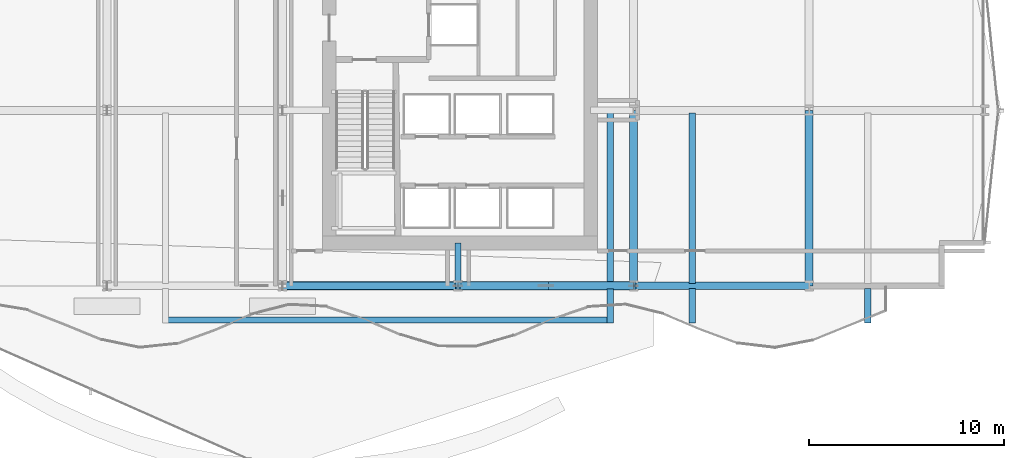
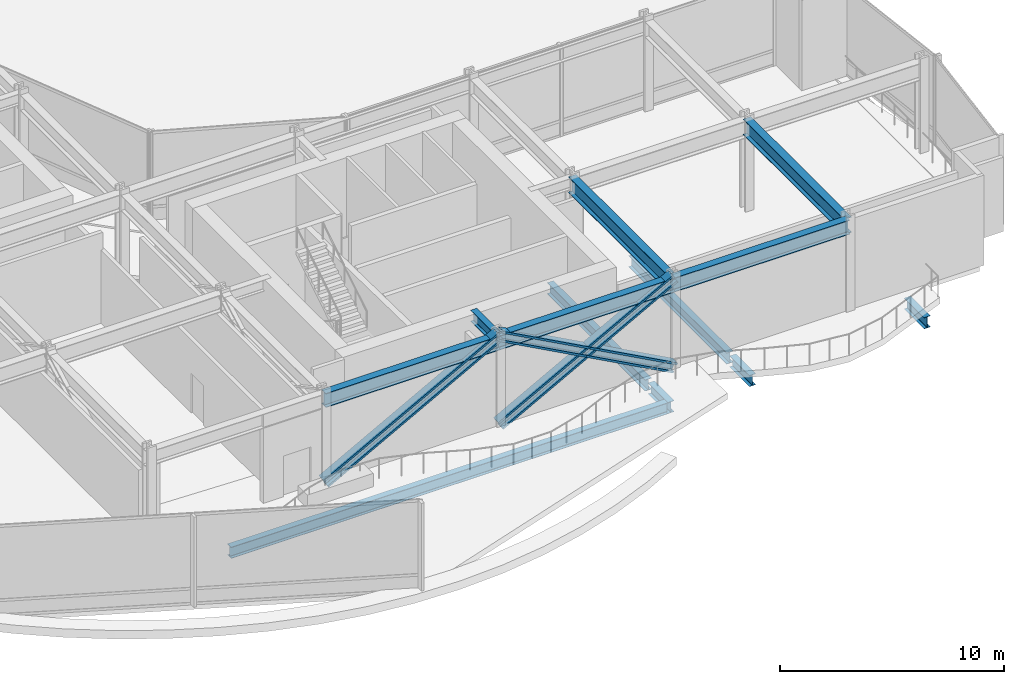
# One storey, part 10 of 37: 12 beams, 4 members.
"""IFC4 building model written with IfcOpenShell, lengths in metres."""

from ifc_helpers import new_model, si_unit, direction, frame, origin, origin_2d, place, context, subcontext, project, spatial, i_section, extrude, material, material_profile, profile_set, type_object, element, save


model = new_model("IFC4")

# Units and contexts
model_context = context("Model", 3, precision=1e-05, world=origin(), true_north=direction((0.0, 1.0)))
body_context = subcontext(model_context, "Body", "Model", "MODEL_VIEW")
ifc_project = project(units=[si_unit("LENGTHUNIT", "METRE"), si_unit("AREAUNIT", "SQUARE_METRE"), si_unit("VOLUMEUNIT", "CUBIC_METRE"), si_unit("PLANEANGLEUNIT", "RADIAN"), si_unit("MASSUNIT", "GRAM", prefix="KILO")], contexts=[model_context])

# Site, building, storey
site_placement = place(None, origin())
site = spatial("IfcSite", under=ifc_project, at=site_placement, CompositionType="ELEMENT")
building_placement = place(site_placement, origin())
building = spatial("IfcBuilding", under=site, at=building_placement, Name="Solvaryn Broadcast Tower", CompositionType="ELEMENT")
storey_placement = place(building_placement, frame((0.0, 0.0, 30.800048828125)))
storey = spatial("IfcBuildingStorey", under=building, at=storey_placement, Name="L06", CompositionType="ELEMENT", Elevation=30.800048828125)

# Beams
ifc_material_1 = material(Name="Steel ASTM A992 Grade 50", Category="steel")
ifc_material_profile_1 = material_profile(ifc_material_1, i_section(OverallWidth=0.323974609375, OverallDepth=0.611083984375, WebThickness=0.0126953125, FlangeThickness=0.01904296875, FilletRadius=0.014892578125, at=origin_2d()))
ifc_profile_set_1 = profile_set([ifc_material_profile_1], Name="Steel ASTM A992 Grade 50")
beam_type_1 = type_object("IfcBeamType", Name="BM-B1-W24X104", PredefinedType="BEAM", material=ifc_profile_set_1)
for number, where, z_axis, x_axis, name in (
    (1, (43.800048828125, 17.875, -0.66552734375), (0.0, -1.0, 0.0), (1.0, 0.0, 0.0), "L06 Terrace Back-Span Beam X43.8"),
    (2, (48.0, 17.875, -0.66552734375), (0.0, -1.0, 0.0), (1.0, 0.0, 0.0), "L06 Terrace Back-Span Beam X48.0"),
):
    element("IfcBeam", number, at=place(storey_placement, frame(where, z_axis=z_axis, x_axis=x_axis)), inside=storey, type_object=beam_type_1, Name=name, PredefinedType="BEAM", context=body_context, shape_type="SweptSolid", body=[
        extrude(i_section(OverallWidth=0.323974609375, OverallDepth=0.611083984375, WebThickness=0.0126953125, FlangeThickness=0.01904296875, FilletRadius=0.014892578125, at=origin_2d()), origin(), (0.0, 0.0, 1.0), 8.75),
    ])
beam_1_placement = place(storey_placement, frame((21.125, 7.25, -0.66552734375), z_axis=(1.0, 0.0, 0.0), x_axis=(0.0, 1.0, 0.0)))
element("IfcBeam", 3, at=beam_1_placement, inside=storey, type_object=beam_type_1, Name="L06 Terrace Cross Tie Beam", PredefinedType="BEAM", context=body_context, shape_type="SweptSolid", body=[
    extrude(i_section(OverallWidth=0.323974609375, OverallDepth=0.611083984375, WebThickness=0.0126953125, FlangeThickness=0.01904296875, FilletRadius=0.014892578125, at=origin_2d()), origin(), (0.0, 0.0, 1.0), 22.550048828125),
])
beam_2_placement = place(storey_placement, frame((36.0, 9.0, 4.614501953125), z_axis=(0.0, 1.0, 0.0), x_axis=(-1.0, 0.0, 0.0)))
element("IfcBeam", 4, at=beam_2_placement, inside=storey, type_object=beam_type_1, Name="L06 Core Tie Beam CTE1", PredefinedType="BEAM", context=body_context, shape_type="SweptSolid", body=[
    extrude(i_section(OverallWidth=0.323974609375, OverallDepth=0.611083984375, WebThickness=0.0126953125, FlangeThickness=0.01904296875, FilletRadius=0.014892578125, at=origin_2d()), origin(), (0.0, 0.0, 1.0), 2.199951171875),
])
ifc_material_2 = material(Name="Steel ASTM A992 Grade 50", Category="steel")
ifc_material_profile_2 = material_profile(ifc_material_2, i_section(OverallWidth=0.323974609375, OverallDepth=0.611083984375, WebThickness=0.0126953125, FlangeThickness=0.01904296875, FilletRadius=0.014892578125, at=origin_2d()))
ifc_profile_set_2 = profile_set([ifc_material_profile_2], Name="Steel ASTM A992 Grade 50")
beam_type_2 = type_object("IfcBeamType", Name="BM-CANT-TER", PredefinedType="BEAM", material=ifc_profile_set_2)
for number, where, z_axis, x_axis, name in (
    (5, (43.800048828125, 8.875, -0.66552734375), (0.0, -1.0, 0.0), (1.0, 0.0, 0.0), "L06 Terrace Cantilever Beam X43.8"),
    (6, (48.0, 8.875, -0.66552734375), (0.0, -1.0, 0.0), (1.0, 0.0, 0.0), "L06 Terrace Cantilever Beam X48.0"),
    (7, (57.0, 8.875, -0.66552734375), (0.0, -1.0, 0.0), (1.0, 0.0, 0.0), "L06 Terrace Cantilever Beam X57.0"),
):
    element("IfcBeam", number, at=place(storey_placement, frame(where, z_axis=z_axis, x_axis=x_axis)), inside=storey, type_object=beam_type_2, Name=name, PredefinedType="BEAM", context=body_context, shape_type="SweptSolid", body=[
        extrude(i_section(OverallWidth=0.323974609375, OverallDepth=0.611083984375, WebThickness=0.0126953125, FlangeThickness=0.01904296875, FilletRadius=0.014892578125, at=origin_2d()), origin(), (0.0, 0.0, 1.0), 1.77490234375),
    ])
ifc_material_3 = material(Name="Steel ASTM A992 Grade 50", Category="steel")
ifc_material_profile_3 = material_profile(ifc_material_3, i_section(OverallWidth=0.39990234375, OverallDepth=0.85498046875, WebThickness=0.018310546875, FlangeThickness=0.029296875, FilletRadius=0.02001953125, at=origin_2d()))
ifc_profile_set_3 = profile_set([ifc_material_profile_3], Name="Steel ASTM A992 Grade 50")
beam_type_3 = type_object("IfcBeamType", Name="BM-G3-W33X201", PredefinedType="BEAM", material=ifc_profile_set_3)
for number, where, z_axis, x_axis, name in (
    (8, (45.0, 9.0, 4.492431640625), (0.0, 1.0, 0.0), (-1.0, 0.0, 0.0), "L06 Primary Beam Y (9-18 @ X=45)"),
    (9, (54.0, 9.0, 4.492431640625), (0.0, 1.0, 0.0), (-1.0, 0.0, 0.0), "L06 Primary Beam Y (9-18 @ X=54)"),
):
    element("IfcBeam", number, at=place(storey_placement, frame(where, z_axis=z_axis, x_axis=x_axis)), inside=storey, type_object=beam_type_3, Name=name, PredefinedType="BEAM", context=body_context, shape_type="SweptSolid", body=[
        extrude(i_section(OverallWidth=0.39990234375, OverallDepth=0.85498046875, WebThickness=0.018310546875, FlangeThickness=0.029296875, FilletRadius=0.02001953125, at=origin_2d()), origin(), (0.0, 0.0, 1.0), 9.0),
    ])
ifc_material_4 = material(Name="Steel ASTM A992 Grade 50", Category="steel")
ifc_material_profile_4 = material_profile(ifc_material_4, i_section(OverallWidth=0.381103515625, OverallDepth=0.77294921875, WebThickness=0.0166015625, FlangeThickness=0.027099609375, FilletRadius=0.01806640625, at=origin_2d()))
ifc_profile_set_4 = profile_set([ifc_material_profile_4], Name="Steel ASTM A992 Grade 50")
beam_type_4 = type_object("IfcBeamType", Name="BM-SP1-W30X173", PredefinedType="USERDEFINED", material=ifc_profile_set_4)
for number, where, z_axis, x_axis, name in (
    (10, (27.0, 9.0, 4.533447265625), (1.0, 0.0, 0.0), (0.0, 1.0, 0.0), "L06 Spandrel Beam X (27-36 @ Y=9)"),
    (11, (36.0, 9.0, 4.533447265625), (1.0, 0.0, 0.0), (0.0, 1.0, 0.0), "L06 Spandrel Beam X (36-45 @ Y=9)"),
    (12, (45.0, 9.0, 4.533447265625), (1.0, 0.0, 0.0), (0.0, 1.0, 0.0), "L06 Spandrel Beam X (45-54 @ Y=9)"),
):
    element("IfcBeam", number, at=place(storey_placement, frame(where, z_axis=z_axis, x_axis=x_axis)), inside=storey, type_object=beam_type_4, Name=name, ObjectType="SPANDREL", PredefinedType="USERDEFINED", context=body_context, shape_type="SweptSolid", body=[
        extrude(i_section(OverallWidth=0.381103515625, OverallDepth=0.77294921875, WebThickness=0.0166015625, FlangeThickness=0.027099609375, FilletRadius=0.01806640625, at=origin_2d()), origin(), (0.0, 0.0, 1.0), 9.0),
    ])

# Members
ifc_material_5 = material(Name="Steel ASTM A913 Grade 65", Category="steel")
ifc_material_profile_5 = material_profile(ifc_material_5, i_section(OverallWidth=0.44189453125, OverallDepth=0.531005859375, WebThickness=0.06591796875, FlangeThickness=0.105712890625, FilletRadius=0.014892578125, at=origin_2d()))
ifc_profile_set_5 = profile_set([ifc_material_profile_5], Name="Steel ASTM A913 Grade 65")
member_type = type_object("IfcMemberType", Name="MB-TRUSS-CHORD", PredefinedType="CHORD", material=ifc_profile_set_5)
for number, where, z_axis, x_axis, name in (
    (13, (27.0, 9.0, 0.02001953125), (0.879092151416, 0.0, 0.476651853367), (0.0, 1.0, 0.0), "L06 Transfer Belt Chord 7"),
    (14, (36.0, 9.0, 0.02001953125), (0.879092151416, 0.0, 0.476651853367), (0.0, 1.0, 0.0), "L06 Transfer Belt X-Bay 36-45 Continuous Diagonal"),
):
    element("IfcMember", number, at=place(storey_placement, frame(where, z_axis=z_axis, x_axis=x_axis)), inside=storey, type_object=member_type, Name=name, PredefinedType="CHORD", context=body_context, shape_type="SweptSolid", body=[
        extrude(i_section(OverallWidth=0.44189453125, OverallDepth=0.531005859375, WebThickness=0.06591796875, FlangeThickness=0.105712890625, FilletRadius=0.014892578125, at=origin_2d()), origin(), (0.0, 0.0, 1.0), 10.23779296875),
    ])
for number, where, z_axis, x_axis, name in (
    (15, (36.0, 9.0, 4.89990234375), (0.879092151416, 0.0, -0.476651853367), (0.0, 1.0, 0.0), "L06 Transfer Belt X-Bay 36-45 Split Diagonal Lower"),
    (16, (40.5, 9.0, 2.4599609375), (0.879092151416, 0.0, -0.476651853367), (0.0, 1.0, 0.0), "L06 Transfer Belt X-Bay 36-45 Split Diagonal Upper"),
):
    element("IfcMember", number, at=place(storey_placement, frame(where, z_axis=z_axis, x_axis=x_axis)), inside=storey, type_object=member_type, Name=name, PredefinedType="CHORD", context=body_context, shape_type="SweptSolid", body=[
        extrude(i_section(OverallWidth=0.44189453125, OverallDepth=0.531005859375, WebThickness=0.06591796875, FlangeThickness=0.105712890625, FilletRadius=0.014892578125, at=origin_2d()), origin(), (0.0, 0.0, 1.0), 5.118896484375),
    ])

save(model, "model.ifc")
